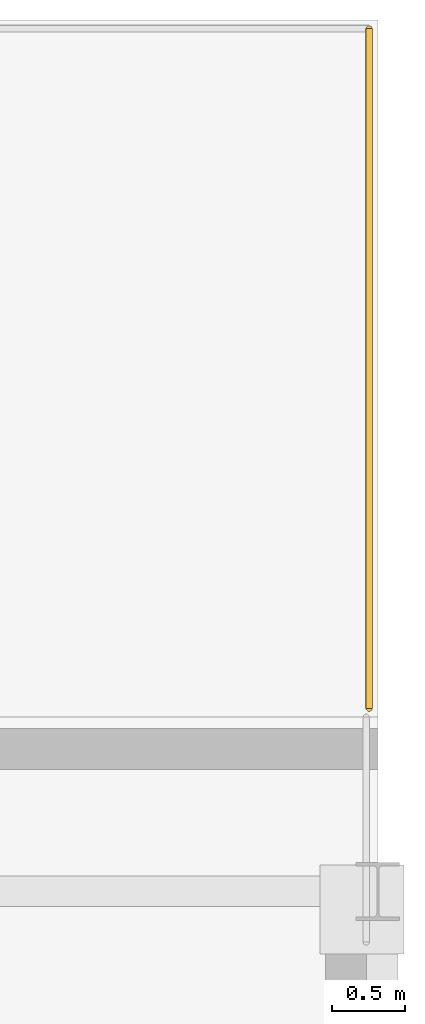
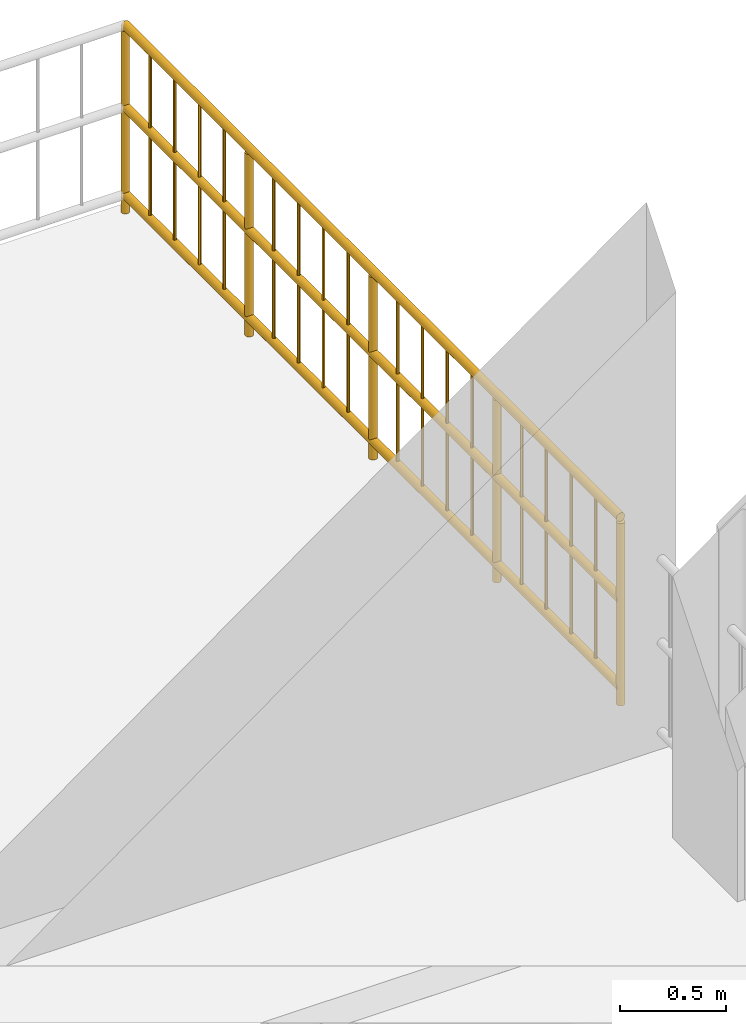
# One storey, part 16 of 16: 1 railing.
"""IFC4 building model written with IfcOpenShell, lengths in metres."""

from ifc_helpers import new_model, si_unit, direction, frame, origin, origin_2d, place, context, subcontext, project, spatial, circle, extrude, material, layer, layer_set, type_object, element, save


model = new_model("IFC4")

# Units and contexts
model_context = context("Model", 3, precision=1e-05, world=origin(), true_north=direction((0.0, 1.0)))
body_context = subcontext(model_context, "Body", "Model", "MODEL_VIEW")
ifc_project = project(units=[si_unit("LENGTHUNIT", "METRE"), si_unit("AREAUNIT", "SQUARE_METRE"), si_unit("VOLUMEUNIT", "CUBIC_METRE"), si_unit("PLANEANGLEUNIT", "RADIAN"), si_unit("MASSUNIT", "GRAM", prefix="KILO")], contexts=[model_context])

# Site, building, storey
site_placement = place(None, origin())
site = spatial("IfcSite", under=ifc_project, at=site_placement, CompositionType="ELEMENT")
building_placement = place(site_placement, origin())
building = spatial("IfcBuilding", under=site, at=building_placement, Name="Nabrawat Pavilion Hospital", CompositionType="ELEMENT")
storey_placement = place(building_placement, frame((0.0, 0.0, 31.050048828125)))
storey = spatial("IfcBuildingStorey", under=building, at=storey_placement, Name="L07", CompositionType="ELEMENT", Elevation=31.050048828125)

# Railing
ifc_material = material(Name="Stainless Steel 316", Category="steel")
ifc_layer = layer(ifc_material, 0.070068359375, Name="Stainless Steel 316")
ifc_layer_set = layer_set([ifc_layer], Name="Stainless Steel 316")
railing_type = type_object("IfcRailingType", Name="Exterior Clinical Terrace Safety Guardrail 1100", PredefinedType="GUARDRAIL", material=ifc_layer_set)
railing_placement = place(storey_placement, frame((193.139892578125, 110.4599609375, 0.0)))
element("IfcRailing", 1, at=railing_placement, inside=storey, type_object=railing_type, Name="L07 Terrace Edge Safety Guardrail T_L07_WARD_NORTH East", PredefinedType="GUARDRAIL", context=body_context, shape_type="SweptSolid", body=[
    extrude(circle(Radius=0.02392578125, at=origin_2d()), frame((0.0, 0.0, 1.076171875), z_axis=(0.0, 1.0, 0.0), x_axis=(-1.0, 0.0, 0.0)), (0.0, 0.0, 1.0), 4.679931640625),
    extrude(circle(Radius=0.02392578125, at=origin_2d()), frame((0.0, 0.0, 0.10009765625), z_axis=(0.0, 1.0, 0.0), x_axis=(-1.0, 0.0, 0.0)), (0.0, 0.0, 1.0), 4.679931640625),
    extrude(circle(Radius=0.02392578125, at=origin_2d()), frame((0.0, 0.0, 0.60498046875), z_axis=(0.0, 1.0, 0.0), x_axis=(-1.0, 0.0, 0.0)), (0.0, 0.0, 1.0), 4.679931640625),
    extrude(circle(Radius=0.008056640625, at=origin_2d()), frame((0.0, 0.23388671875, 0.10009765625)), (0.0, 0.0, 1.0), 0.951904296875),
    extrude(circle(Radius=0.008056640625, at=origin_2d()), frame((0.0, 0.468017578125, 0.10009765625)), (0.0, 0.0, 1.0), 0.951904296875),
    extrude(circle(Radius=0.008056640625, at=origin_2d()), frame((0.0, 0.701904296875, 0.10009765625)), (0.0, 0.0, 1.0), 0.951904296875),
    extrude(circle(Radius=0.008056640625, at=origin_2d()), frame((0.0, 0.93603515625, 0.10009765625)), (0.0, 0.0, 1.0), 0.951904296875),
    extrude(circle(Radius=0.008056640625, at=origin_2d()), frame((0.0, 1.404052734375, 0.10009765625)), (0.0, 0.0, 1.0), 0.951904296875),
    extrude(circle(Radius=0.008056640625, at=origin_2d()), frame((0.0, 1.637939453125, 0.10009765625)), (0.0, 0.0, 1.0), 0.951904296875),
    extrude(circle(Radius=0.008056640625, at=origin_2d()), frame((0.0, 1.8720703125, 0.10009765625)), (0.0, 0.0, 1.0), 0.951904296875),
    extrude(circle(Radius=0.008056640625, at=origin_2d()), frame((0.0, 2.10595703125, 0.10009765625)), (0.0, 0.0, 1.0), 0.951904296875),
    extrude(circle(Radius=0.008056640625, at=origin_2d()), frame((0.0, 2.573974609375, 0.10009765625)), (0.0, 0.0, 1.0), 0.951904296875),
    extrude(circle(Radius=0.008056640625, at=origin_2d()), frame((0.0, 2.807861328125, 0.10009765625)), (0.0, 0.0, 1.0), 0.951904296875),
    extrude(circle(Radius=0.008056640625, at=origin_2d()), frame((0.0, 3.0419921875, 0.10009765625)), (0.0, 0.0, 1.0), 0.951904296875),
    extrude(circle(Radius=0.008056640625, at=origin_2d()), frame((0.0, 3.27587890625, 0.10009765625)), (0.0, 0.0, 1.0), 0.951904296875),
    extrude(circle(Radius=0.008056640625, at=origin_2d()), frame((0.0, 3.743896484375, 0.10009765625)), (0.0, 0.0, 1.0), 0.951904296875),
    extrude(circle(Radius=0.008056640625, at=origin_2d()), frame((0.0, 3.97802734375, 0.10009765625)), (0.0, 0.0, 1.0), 0.951904296875),
    extrude(circle(Radius=0.008056640625, at=origin_2d()), frame((0.0, 4.2119140625, 0.10009765625)), (0.0, 0.0, 1.0), 0.951904296875),
    extrude(circle(Radius=0.008056640625, at=origin_2d()), frame((0.0, 4.446044921875, 0.10009765625)), (0.0, 0.0, 1.0), 0.951904296875),
    extrude(circle(Radius=0.02099609375, at=origin_2d()), origin(), (0.0, 0.0, 1.0), 1.052001953125),
    extrude(circle(Radius=0.02099609375, at=origin_2d()), frame((0.0, 1.169921875, 0.0)), (0.0, 0.0, 1.0), 1.052001953125),
    extrude(circle(Radius=0.02099609375, at=origin_2d()), frame((0.0, 2.33984375, 0.0)), (0.0, 0.0, 1.0), 1.052001953125),
    extrude(circle(Radius=0.02099609375, at=origin_2d()), frame((0.0, 3.510009765625, 0.0)), (0.0, 0.0, 1.0), 1.052001953125),
    extrude(circle(Radius=0.02099609375, at=origin_2d()), frame((0.0, 4.679931640625, 0.0)), (0.0, 0.0, 1.0), 1.052001953125),
])

save(model, "model.ifc")
